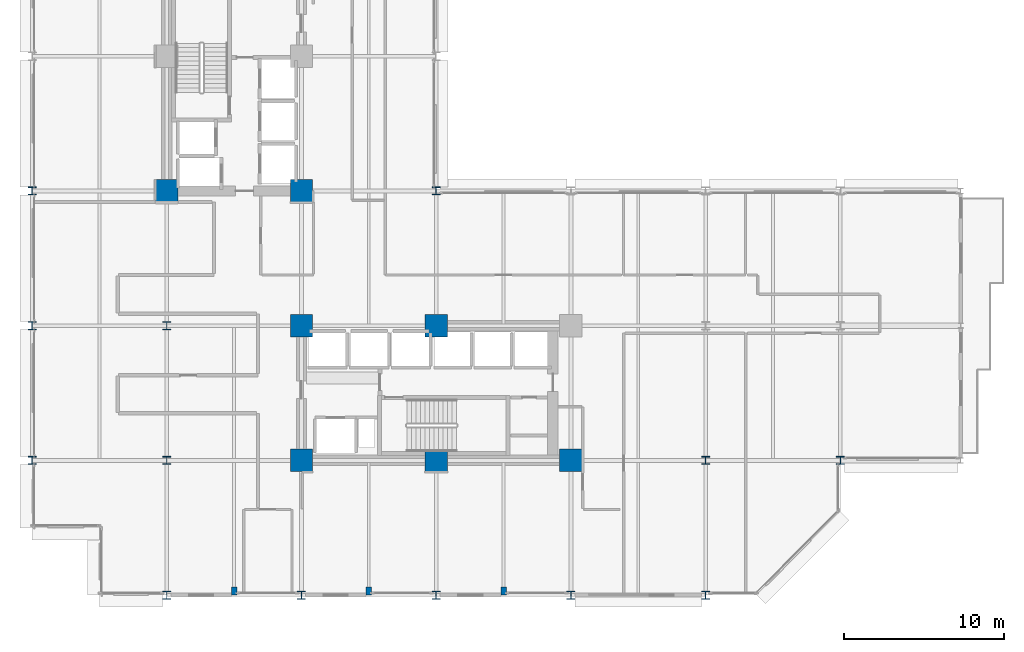
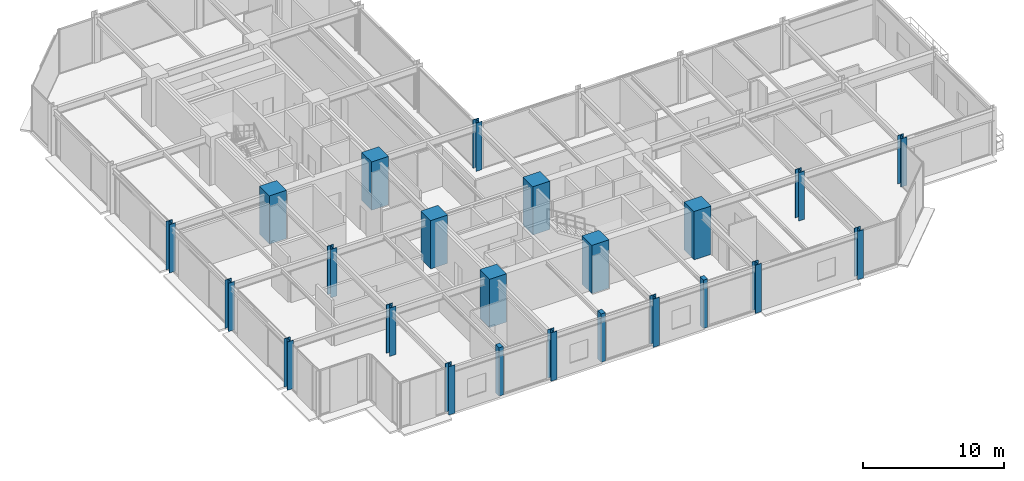
# One storey, part 1 of 27: 23 columns.
"""IFC4 building model written with IfcOpenShell, lengths in metres."""

from ifc_helpers import new_model, si_unit, direction, frame, origin, origin_2d, place, context, subcontext, project, spatial, rectangle, i_section, extrude, material, material_profile, profile_set, type_object, element, save


model = new_model("IFC4")

# Units and contexts
model_context = context("Model", 3, precision=1e-05, world=origin(), true_north=direction((0.0, 1.0)))
body_context = subcontext(model_context, "Body", "Model", "MODEL_VIEW")
ifc_project = project(units=[si_unit("LENGTHUNIT", "METRE"), si_unit("AREAUNIT", "SQUARE_METRE"), si_unit("VOLUMEUNIT", "CUBIC_METRE"), si_unit("PLANEANGLEUNIT", "RADIAN"), si_unit("MASSUNIT", "GRAM", prefix="KILO")], contexts=[model_context])

# Site, building, storey
site_placement = place(None, origin())
site = spatial("IfcSite", under=ifc_project, at=site_placement, CompositionType="ELEMENT")
building_placement = place(site_placement, origin())
building = spatial("IfcBuilding", under=site, at=building_placement, Name="Nerrivon Quay Data Exchange", CompositionType="ELEMENT")
storey_placement = place(building_placement, frame((0.0, 0.0, 66.800048828125)))
storey = spatial("IfcBuildingStorey", under=building, at=storey_placement, Name="L15", CompositionType="ELEMENT", Elevation=66.800048828125)

# Columns
ifc_material_1 = material(Name="Concrete N80 (80 MPa)", Category="concrete")
ifc_material_profile_1 = material_profile(ifc_material_1, rectangle(XDim=1.39990234375, YDim=1.39990234375, at=origin_2d()), Name="RC-COL-1400x1400")
ifc_profile_set_1 = profile_set([ifc_material_profile_1], Name="Concrete N80 (80 MPa)")
column_type_1 = type_object("IfcColumnType", Name="COL-C2-1400", PredefinedType="COLUMN", material=ifc_profile_set_1)
for number, where, z_axis, x_axis, name in (
    (1, (8.39990234375, 25.199951171875, 0.0), (0.0, 0.0, 1.0), (1.0, 0.0, 0.0), "L15 Column (8.4,25.2)"),
    (2, (16.800048828125, 8.39990234375, 0.0), (0.0, 0.0, 1.0), (1.0, 0.0, 0.0), "L15 Column (16.8,8.4)"),
    (3, (16.800048828125, 16.800048828125, 0.0), (0.0, 0.0, 1.0), (1.0, 0.0, 0.0), "L15 Column (16.8,16.8)"),
    (4, (16.800048828125, 25.199951171875, 0.0), (0.0, 0.0, 1.0), (1.0, 0.0, 0.0), "L15 Column (16.8,25.2)"),
    (5, (25.199951171875, 8.39990234375, 0.0), (0.0, 0.0, 1.0), (1.0, 0.0, 0.0), "L15 Column (25.2,8.4)"),
    (6, (25.199951171875, 16.800048828125, 0.0), (0.0, 0.0, 1.0), (1.0, 0.0, 0.0), "L15 Column (25.2,16.8)"),
    (7, (33.60009765625, 8.39990234375, 0.0), (0.0, 0.0, 1.0), (1.0, 0.0, 0.0), "L15 Column (33.6,8.4)"),
):
    element("IfcColumn", number, at=place(storey_placement, frame(where, z_axis=z_axis, x_axis=x_axis)), inside=storey, type_object=column_type_1, Name=name, PredefinedType="COLUMN", context=body_context, shape_type="SweptSolid", body=[
        extrude(rectangle(XDim=1.39990234375, YDim=1.39990234375, at=origin_2d()), origin(), (0.0, 0.0, 1.0), 4.199951171875),
    ])
ifc_material_2 = material(Name="Steel Grade 350", Category="steel")
ifc_material_profile_2 = material_profile(ifc_material_2, i_section(OverallWidth=0.5, OverallDepth=0.5, WebThickness=0.028076171875, FlangeThickness=0.0400390625, at=origin_2d()), Name="500WC440")
ifc_profile_set_2 = profile_set([ifc_material_profile_2], Name="Steel Grade 350")
column_type_2 = type_object("IfcColumnType", Name="COL-SC1-500WC", PredefinedType="COLUMN", material=ifc_profile_set_2)
for number, where, z_axis, x_axis, name in (
    (8, (0.0, 8.39990234375, 0.0), (0.0, 0.0, 1.0), (1.0, 0.0, 0.0), "L15 Column (0.0,8.4)"),
    (9, (0.0, 16.800048828125, 0.0), (0.0, 0.0, 1.0), (1.0, 0.0, 0.0), "L15 Column (0.0,16.8)"),
    (10, (0.0, 25.199951171875, 0.0), (0.0, 0.0, 1.0), (1.0, 0.0, 0.0), "L15 Column (0.0,25.2)"),
    (11, (8.39990234375, 0.0, 0.0), (0.0, 0.0, 1.0), (1.0, 0.0, 0.0), "L15 Column (8.4,0.0)"),
    (12, (8.39990234375, 8.39990234375, 0.0), (0.0, 0.0, 1.0), (1.0, 0.0, 0.0), "L15 Column (8.4,8.4)"),
    (13, (8.39990234375, 16.800048828125, 0.0), (0.0, 0.0, 1.0), (1.0, 0.0, 0.0), "L15 Column (8.4,16.8)"),
    (14, (16.800048828125, 0.0, 0.0), (0.0, 0.0, 1.0), (1.0, 0.0, 0.0), "L15 Column (16.8,0.0)"),
    (15, (25.199951171875, 0.0, 0.0), (0.0, 0.0, 1.0), (1.0, 0.0, 0.0), "L15 Column (25.2,0.0)"),
    (16, (25.199951171875, 25.199951171875, 0.0), (0.0, 0.0, 1.0), (1.0, 0.0, 0.0), "L15 Column (25.2,25.2)"),
    (17, (33.60009765625, 0.0, 0.0), (0.0, 0.0, 1.0), (1.0, 0.0, 0.0), "L15 Column (33.6,0.0)"),
    (18, (42.0, 0.0, 0.0), (0.0, 0.0, 1.0), (1.0, 0.0, 0.0), "L15 Column (42.0,0.0)"),
    (19, (42.0, 8.39990234375, 0.0), (0.0, 0.0, 1.0), (1.0, 0.0, 0.0), "L15 Column (42.0,8.4)"),
    (20, (50.39990234375, 8.39990234375, 0.0), (0.0, 0.0, 1.0), (1.0, 0.0, 0.0), "L15 Column (50.4,8.4)"),
):
    element("IfcColumn", number, at=place(storey_placement, frame(where, z_axis=z_axis, x_axis=x_axis)), inside=storey, type_object=column_type_2, Name=name, PredefinedType="COLUMN", context=body_context, shape_type="SweptSolid", body=[
        extrude(i_section(OverallWidth=0.5, OverallDepth=0.5, WebThickness=0.028076171875, FlangeThickness=0.0400390625, at=origin_2d()), origin(), (0.0, 0.0, 1.0), 4.199951171875),
    ])
ifc_material_3 = material(Name="Concrete N50 (50 MPa)", Category="concrete")
ifc_material_profile_3 = material_profile(ifc_material_3, rectangle(XDim=0.35009765625, YDim=0.5, at=origin_2d()), Name="RC-PIL-500x350")
ifc_profile_set_3 = profile_set([ifc_material_profile_3], Name="Concrete N50 (50 MPa)")
column_type_3 = type_object("IfcColumnType", Name="PIL-P2-500x350", PredefinedType="PILASTER", material=ifc_profile_set_3)
for number, where, z_axis, x_axis, name in (
    (21, (12.60009765625, 0.25, 0.0), (0.0, 0.0, 1.0), (1.0, 0.0, 0.0), "L15 Facade Pilaster (12.6)"),
    (22, (21.0, 0.25, 0.0), (0.0, 0.0, 1.0), (1.0, 0.0, 0.0), "L15 Facade Pilaster (21.0)"),
    (23, (29.39990234375, 0.25, 0.0), (0.0, 0.0, 1.0), (1.0, 0.0, 0.0), "L15 Facade Pilaster (29.4)"),
):
    element("IfcColumn", number, at=place(storey_placement, frame(where, z_axis=z_axis, x_axis=x_axis)), inside=storey, type_object=column_type_3, Name=name, PredefinedType="PILASTER", context=body_context, shape_type="SweptSolid", body=[
        extrude(rectangle(XDim=0.35009765625, YDim=0.5, at=origin_2d()), origin(), (0.0, 0.0, 1.0), 4.199951171875),
    ])

save(model, "model.ifc")
